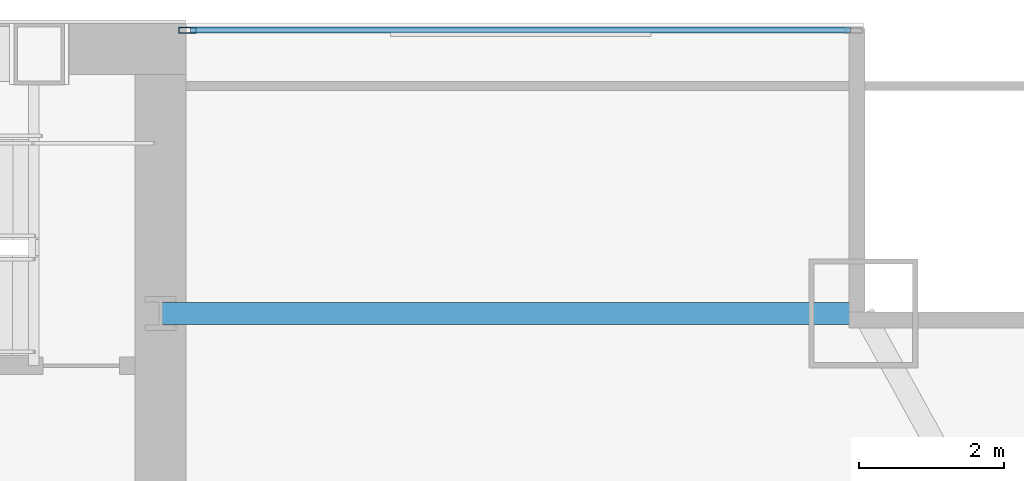
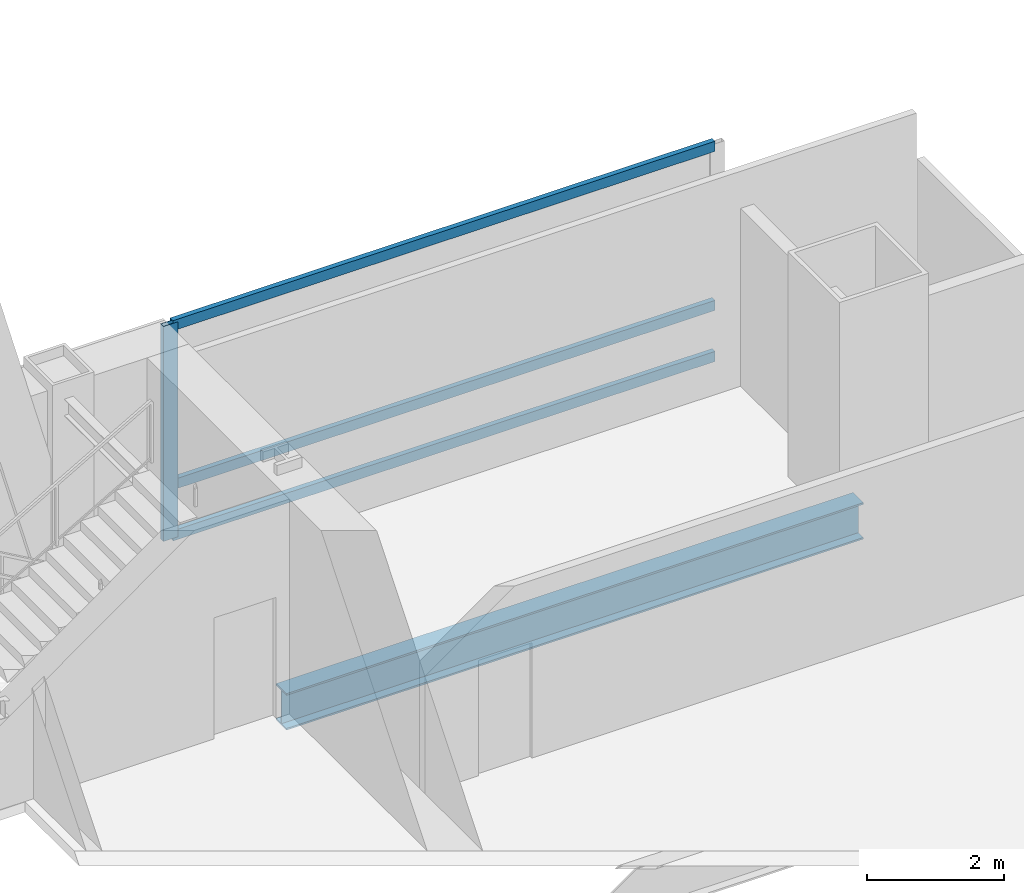
# One storey, part 21 of 32: 4 members, 1 beam, 1 element without a shape of its own.
"""IFC4 building model written with IfcOpenShell, lengths in metres."""

from ifc_helpers import new_model, si_unit, direction, frame, origin, origin_2d, place, context, subcontext, project, spatial, hollow_rectangle, i_section, extrude, material, material_profile, profile_set, type_object, element, aggregate, save


model = new_model("IFC4")

# Units and contexts
model_context = context("Model", 3, precision=1e-05, world=origin(), true_north=direction((0.0, 1.0)))
body_context = subcontext(model_context, "Body", "Model", "MODEL_VIEW")
ifc_project = project(units=[si_unit("LENGTHUNIT", "METRE"), si_unit("AREAUNIT", "SQUARE_METRE"), si_unit("VOLUMEUNIT", "CUBIC_METRE"), si_unit("PLANEANGLEUNIT", "RADIAN"), si_unit("MASSUNIT", "GRAM", prefix="KILO")], contexts=[model_context])

# Site, building, storey
site_placement = place(None, origin())
site = spatial("IfcSite", under=ifc_project, at=site_placement, CompositionType="ELEMENT")
building_placement = place(site_placement, origin())
building = spatial("IfcBuilding", under=site, at=building_placement, Name="Khoronbel Lancet Exchange", CompositionType="ELEMENT")
storey_placement = place(building_placement, frame((0.0, 0.0, 94.60009765625)))
storey = spatial("IfcBuildingStorey", under=building, at=storey_placement, Name="L22", CompositionType="ELEMENT", Elevation=94.60009765625)

# Beam
ifc_material_1 = material(Name="Steel S355", Category="steel")
ifc_material_profile_1 = material_profile(ifc_material_1, i_section(OverallWidth=0.300048828125, OverallDepth=0.64990234375, WebThickness=0.01611328125, FlangeThickness=0.031005859375, at=origin_2d()), Name="HEB 650")
ifc_profile_set_1 = profile_set([ifc_material_profile_1], Name="Steel S355")
beam_type = type_object("IfcBeamType", Name="BM-BSP1", PredefinedType="SPANDREL", material=ifc_profile_set_1)
beam_placement = place(storey_placement, frame((66.050048828125, 49.699951171875, -0.505126953125), z_axis=(-1.0, 0.0, 0.0), x_axis=(0.0, -1.0, 0.0)))
element("IfcBeam", 1, at=beam_placement, inside=storey, type_object=beam_type, Name="Level L22 north flank tie spandrel SP23", PredefinedType="SPANDREL", context=body_context, shape_type="SweptSolid", body=[
    extrude(i_section(OverallWidth=0.300048828125, OverallDepth=0.64990234375, WebThickness=0.01611328125, FlangeThickness=0.031005859375, at=origin_2d()), origin(), (0.0, 0.0, 1.0), 9.699951171875),
])

# Curtain wall, members
ifc_material_2 = material(Name="Low-E Solar Control Insulating Glass", Category="glass")
curtain_wall_type = type_object("IfcCurtainWallType", Name="CW-2", PredefinedType="NOTDEFINED", material=ifc_material_2)
curtain_wall_placement = place(storey_placement, origin())
curtain_wall = element("IfcCurtainWall", 2, at=curtain_wall_placement, inside=storey, type_object=curtain_wall_type, Name="Unitised curtain wall CW-L22-NEFLK", PredefinedType="NOTDEFINED")
ifc_material_3 = material(Name="Bronze-Anodised Aluminium 6063-T6", Category="aluminium")
ifc_material_profile_2 = material_profile(ifc_material_3, hollow_rectangle(XDim=0.0849609375, YDim=0.239990234375, WallThickness=0.006103515625, at=origin_2d()), Name="ALU MULLION 85x240")
ifc_profile_set_2 = profile_set([ifc_material_profile_2], Name="Bronze-Anodised Aluminium 6063-T6")
member_type_1 = type_object("IfcMemberType", Name="MEM-CWM1", PredefinedType="MULLION", material=ifc_profile_set_2)
member_1_placement = place(storey_placement, frame((56.722412109375, 53.610107421875, 0.0), z_axis=(0.0, 0.0, 1.0), x_axis=(0.0, -1.0, 0.0)))
member_1 = element("IfcMember", 3, at=member_1_placement, type_object=member_type_1, Name="CW2 mullion 2", PredefinedType="MULLION", context=body_context, shape_type="SweptSolid", body=[
    extrude(hollow_rectangle(XDim=0.0849609375, YDim=0.239990234375, WallThickness=0.006103515625, at=origin_2d()), origin(), (0.0, 0.0, 1.0), 3.81982421875),
])
ifc_material_profile_3 = material_profile(ifc_material_3, hollow_rectangle(XDim=0.0849609375, YDim=0.179931640625, WallThickness=0.0048828125, at=origin_2d()), Name="ALU TRANSOM 85x180")
ifc_profile_set_3 = profile_set([ifc_material_profile_3], Name="Bronze-Anodised Aluminium 6063-T6")
member_type_2 = type_object("IfcMemberType", Name="MEM-CWT1", PredefinedType="USERDEFINED", material=ifc_profile_set_3)
member_2_placement = place(storey_placement, frame((65.875, 53.610107421875, 0.04248046875), z_axis=(-1.0, 0.0, 0.0), x_axis=(0.0, -1.0, 0.0)))
member_2 = element("IfcMember", 4, at=member_2_placement, type_object=member_type_2, Name="CW2 transom 1.1", ObjectType="TRANSOM", PredefinedType="USERDEFINED", context=body_context, shape_type="SweptSolid", body=[
    extrude(hollow_rectangle(XDim=0.0849609375, YDim=0.179931640625, WallThickness=0.0048828125, at=origin_2d()), origin(), (0.0, 0.0, 1.0), 9.110107421875),
])
member_3_placement = place(storey_placement, frame((65.875, 53.610107421875, 0.949951171875), z_axis=(-1.0, 0.0, 0.0), x_axis=(0.0, -1.0, 0.0)))
member_3 = element("IfcMember", 5, at=member_3_placement, type_object=member_type_2, Name="CW2 transom 1.2", ObjectType="TRANSOM", PredefinedType="USERDEFINED", context=body_context, shape_type="SweptSolid", body=[
    extrude(hollow_rectangle(XDim=0.0849609375, YDim=0.179931640625, WallThickness=0.0048828125, at=origin_2d()), origin(), (0.0, 0.0, 1.0), 9.110107421875),
])
member_4_placement = place(storey_placement, frame((65.875, 53.610107421875, 3.77734375), z_axis=(-1.0, 0.0, 0.0), x_axis=(0.0, -1.0, 0.0)))
member_4 = element("IfcMember", 6, at=member_4_placement, type_object=member_type_2, Name="CW2 transom 1.3", ObjectType="TRANSOM", PredefinedType="USERDEFINED", context=body_context, shape_type="SweptSolid", body=[
    extrude(hollow_rectangle(XDim=0.0849609375, YDim=0.179931640625, WallThickness=0.0048828125, at=origin_2d()), origin(), (0.0, 0.0, 1.0), 9.110107421875),
])
aggregate(curtain_wall, [member_1, member_2, member_3, member_4])

save(model, "model.ifc")
